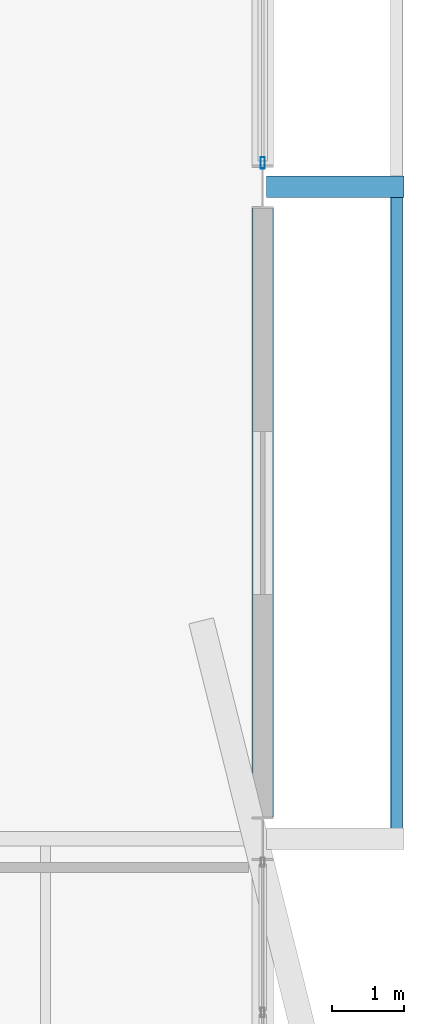
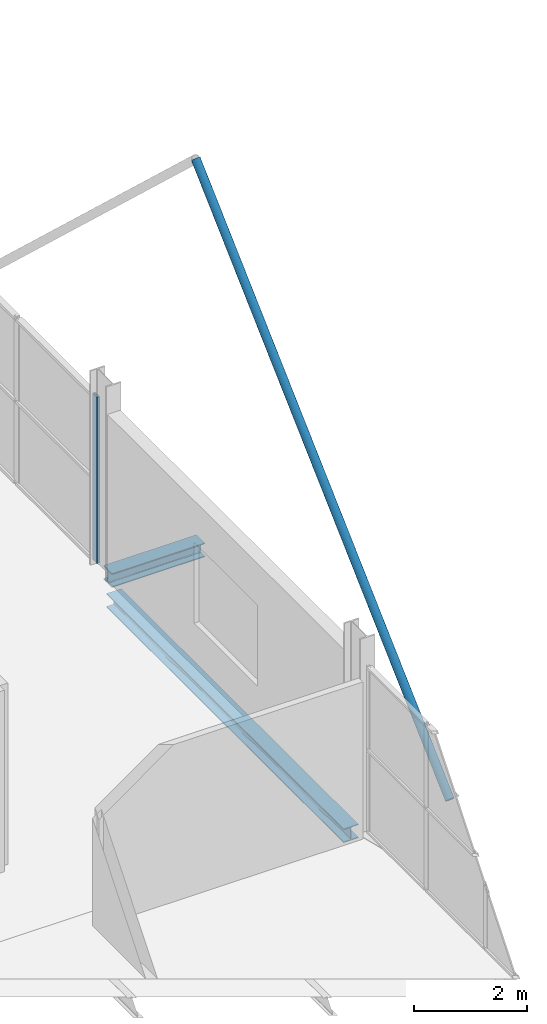
# One storey, part 60 of 103: 2 beams, 2 members, 1 element without a shape of its own.
"""IFC4 building model written with IfcOpenShell, lengths in metres."""

from ifc_helpers import new_model, si_unit, direction, frame, origin, origin_2d, place, context, subcontext, project, spatial, hollow_rectangle, hollow_circle, i_section, extrude, material, layer, layer_set, material_profile, profile_set, type_object, element, aggregate, save


model = new_model("IFC4")

# Units and contexts
model_context = context("Model", 3, precision=1e-05, world=origin(), true_north=direction((0.0, 1.0)))
body_context = subcontext(model_context, "Body", "Model", "MODEL_VIEW")
ifc_project = project(units=[si_unit("LENGTHUNIT", "METRE"), si_unit("AREAUNIT", "SQUARE_METRE"), si_unit("VOLUMEUNIT", "CUBIC_METRE"), si_unit("PLANEANGLEUNIT", "RADIAN"), si_unit("MASSUNIT", "GRAM", prefix="KILO")], contexts=[model_context])

# Site, building, storey
site_placement = place(None, origin())
site = spatial("IfcSite", under=ifc_project, at=site_placement, CompositionType="ELEMENT")
building_placement = place(site_placement, origin())
building = spatial("IfcBuilding", under=site, at=building_placement, Name="Deido Ridge Mobility Hub", CompositionType="ELEMENT")
storey_placement = place(building_placement, frame((0.0, 0.0, 12.60009765625)))
storey = spatial("IfcBuildingStorey", under=building, at=storey_placement, Name="L03", CompositionType="ELEMENT", Elevation=12.60009765625)

# Curtain wall, member
ifc_material_1 = material(Name="Anodised aluminium EN AW-6063 T6", Category="aluminium")
ifc_layer = layer(ifc_material_1, 0.195068359375, Name="Anodised aluminium EN AW-6063 T6")
ifc_layer_set = layer_set([ifc_layer], Name="Anodised aluminium EN AW-6063 T6")
curtain_wall_type = type_object("IfcCurtainWallType", Name="CW-UF-3", PredefinedType="USERDEFINED", material=ifc_layer_set)
curtain_wall_placement = place(storey_placement, origin())
curtain_wall = element("IfcCurtainWall", 1, at=curtain_wall_placement, inside=storey, type_object=curtain_wall_type, Name="Unitised curtain wall CW3", ObjectType="UNITISED FACADE", PredefinedType="USERDEFINED")
ifc_material_profile_1 = material_profile(ifc_material_1, hollow_rectangle(XDim=0.06005859375, YDim=0.159912109375, WallThickness=0.00390625, at=origin_2d()), Name="RHS 60x160x4")
ifc_profile_set_1 = profile_set([ifc_material_profile_1], Name="Anodised aluminium EN AW-6063 T6")
member_type_1 = type_object("IfcMemberType", Name="MEM-MUL-60X160", PredefinedType="MULLION", material=ifc_profile_set_1)
member_1_placement = place(storey_placement, frame((180.0, 45.330078125, 0.0), z_axis=(0.0, 0.0, 1.0), x_axis=(-1.0, 0.0, 0.0)))
member_1 = element("IfcMember", 2, at=member_1_placement, type_object=member_type_1, Name="CW3 mullion 1", PredefinedType="MULLION", context=body_context, shape_type="SweptSolid", body=[
    extrude(hollow_rectangle(XDim=0.06005859375, YDim=0.159912109375, WallThickness=0.00390625, at=origin_2d()), origin(), (0.0, 0.0, 1.0), 3.599853515625),
])
aggregate(curtain_wall, [member_1])

# Member
ifc_material_2 = material(Name="Steel S355J2H EN 10210-1", Category="steel")
ifc_material_profile_2 = material_profile(ifc_material_2, hollow_circle(Radius=0.084228515625, WallThickness=0.008056640625, at=origin_2d()), Name="CHS 168.3x8")
ifc_profile_set_2 = profile_set([ifc_material_profile_2], Name="Steel S355J2H EN 10210-1")
member_type_2 = type_object("IfcMemberType", Name="MEM-STR-CHS168", PredefinedType="STRUT", material=ifc_profile_set_2)
member_2_placement = place(storey_placement, frame((181.85009765625, 36.0, -0.150146484375), z_axis=(0.0, 0.731049333052, 0.682324609438), x_axis=(-1.0, 0.0, 0.0)))
element("IfcMember", 3, at=member_2_placement, inside=storey, type_object=member_type_2, Name="Deconstructivist facade diagrid strut SR1", PredefinedType="STRUT", context=body_context, shape_type="SweptSolid", body=[
    extrude(hollow_circle(Radius=0.084228515625, WallThickness=0.008056640625, at=origin_2d()), origin(), (0.0, 0.0, 1.0), 12.31103515625),
])

# Beams
ifc_material_3 = material(Name="Steel S355J2 EN 10025-2", Category="steel")
ifc_material_profile_3 = material_profile(ifc_material_3, i_section(OverallWidth=0.300048828125, OverallDepth=0.300048828125, WebThickness=0.010986328125, FlangeThickness=0.01904296875, FilletRadius=0.027099609375, at=origin_2d()), Name="HEB 300")
ifc_profile_set_3 = profile_set([ifc_material_profile_3], Name="Steel S355J2 EN 10025-2")
beam_type = type_object("IfcBeamType", Name="SPD-HEB300", PredefinedType="SPANDREL", material=ifc_profile_set_3)
beam_1_placement = place(storey_placement, frame((180.0, 36.300048828125, -0.4150390625), z_axis=(0.0, 1.0, 0.0), x_axis=(-1.0, 0.0, 0.0)))
element("IfcBeam", 4, at=beam_1_placement, inside=storey, type_object=beam_type, Name="Floor beam SP1", PredefinedType="SPANDREL", context=body_context, shape_type="SweptSolid", body=[
    extrude(i_section(OverallWidth=0.300048828125, OverallDepth=0.300048828125, WebThickness=0.010986328125, FlangeThickness=0.01904296875, FilletRadius=0.027099609375, at=origin_2d()), origin(), (0.0, 0.0, 1.0), 8.39990234375),
])
beam_2_placement = place(storey_placement, frame((180.050048828125, 45.0, -0.150146484375), z_axis=(1.0, 0.0, 0.0), x_axis=(0.0, 1.0, 0.0)))
element("IfcBeam", 5, at=beam_2_placement, inside=storey, type_object=beam_type, Name="Exoskeleton outrigger beam SP1", PredefinedType="SPANDREL", context=body_context, shape_type="SweptSolid", body=[
    extrude(i_section(OverallWidth=0.300048828125, OverallDepth=0.300048828125, WebThickness=0.010986328125, FlangeThickness=0.01904296875, FilletRadius=0.027099609375, at=origin_2d()), origin(), (0.0, 0.0, 1.0), 1.89990234375),
])

save(model, "model.ifc")
